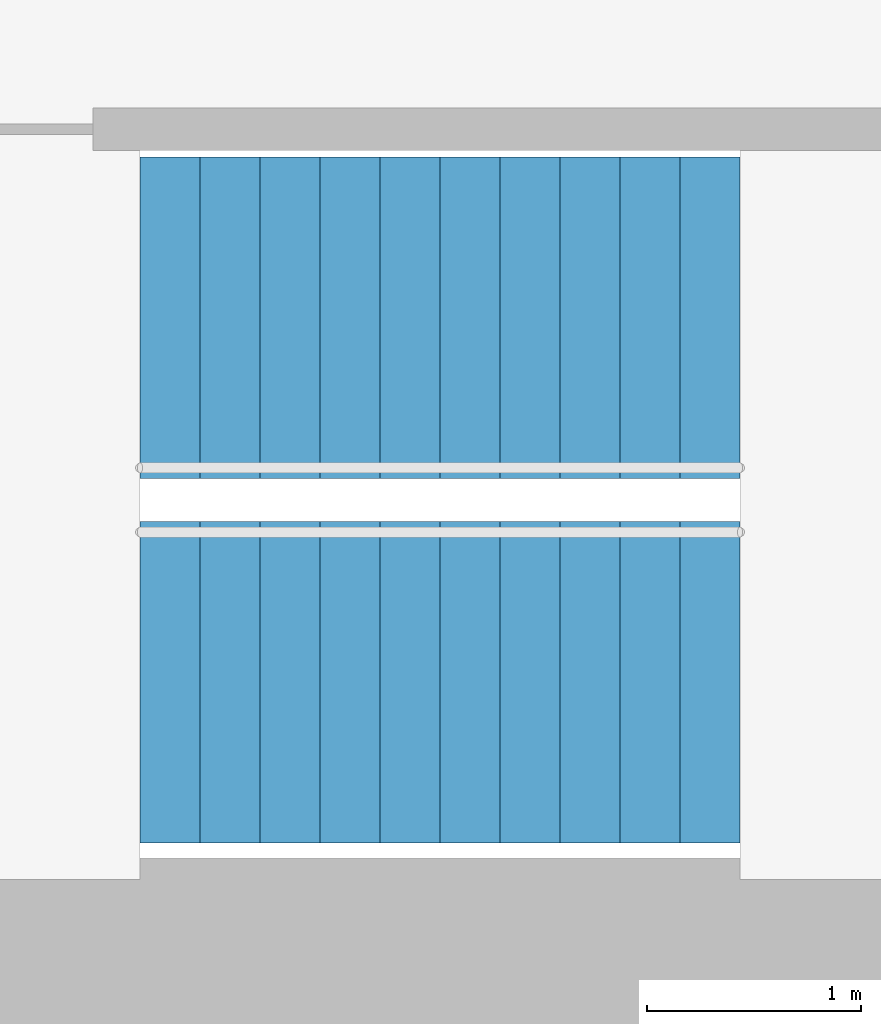
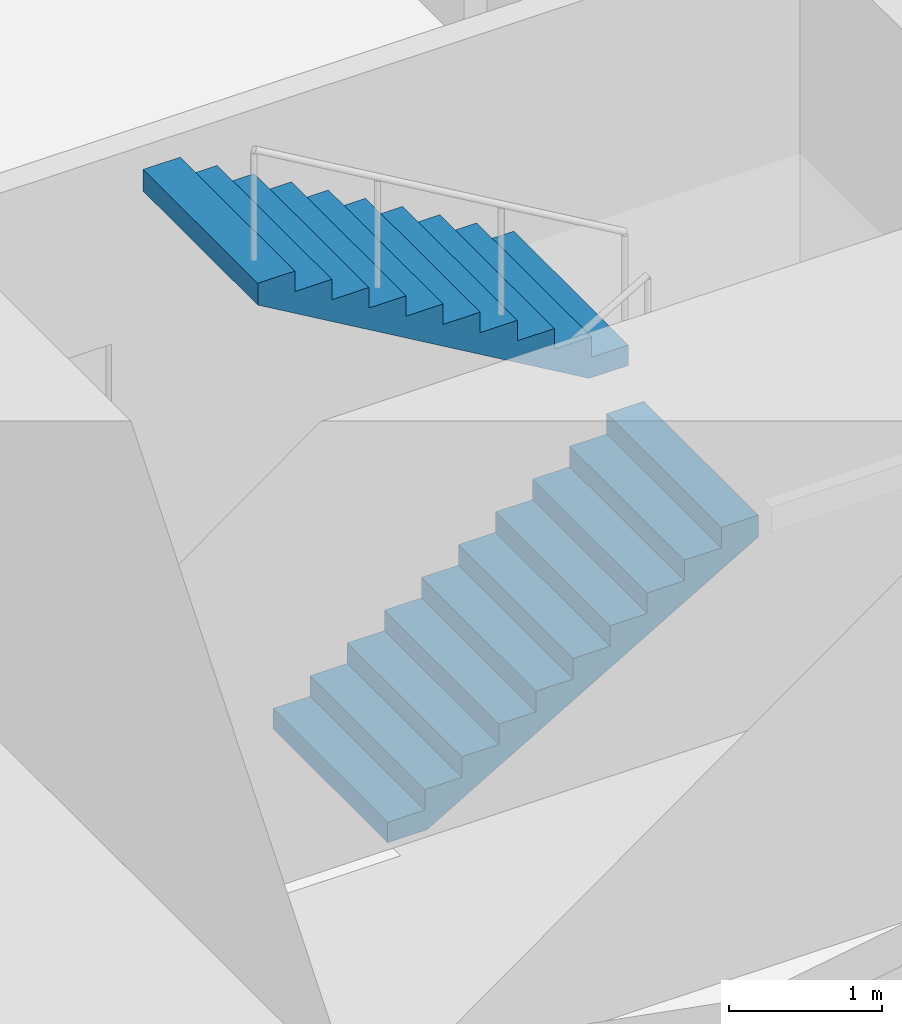
# One storey, part 13 of 15: 2 stair flights, 1 element without a shape of its own.
"""IFC4 building model written with IfcOpenShell, lengths in metres."""

from ifc_helpers import new_model, si_unit, direction, frame, origin, place, context, subcontext, project, spatial, triangles, material, type_object, element, aggregate, save


model = new_model("IFC4")

# Units and contexts
model_context = context("Model", 3, precision=1e-05, world=origin(), true_north=direction((0.0, 1.0)))
body_context = subcontext(model_context, "Body", "Model", "MODEL_VIEW")
ifc_project = project(units=[si_unit("LENGTHUNIT", "METRE"), si_unit("AREAUNIT", "SQUARE_METRE"), si_unit("VOLUMEUNIT", "CUBIC_METRE"), si_unit("PLANEANGLEUNIT", "RADIAN"), si_unit("MASSUNIT", "GRAM", prefix="KILO")], contexts=[model_context])

# Site, building, storey
site_placement = place(None, origin())
site = spatial("IfcSite", under=ifc_project, at=site_placement, CompositionType="ELEMENT")
building_placement = place(site_placement, origin())
building = spatial("IfcBuilding", under=site, at=building_placement, Name="Lantaw Convention Tower", CompositionType="ELEMENT")
storey_placement = place(building_placement, frame((0.0, 0.0, 47.800048828125)))
storey = spatial("IfcBuildingStorey", under=building, at=storey_placement, Name="L09", CompositionType="ELEMENT", Elevation=47.800048828125)

# Stair, stair flights
ifc_material = material(Name="Concrete C35/45", Category="concrete")
stair_type = type_object("IfcStairType", Name="Exit stair 1500 riser 163.64 in 2 flights", PredefinedType="HALF_TURN_STAIR", material=ifc_material)
stair_placement = place(storey_placement, origin())
stair = element("IfcStair", 1, at=stair_placement, inside=storey, type_object=stair_type, Name="Exit stair S1 L09", PredefinedType="HALF_TURN_STAIR")
stair_flight_type = type_object("IfcStairFlightType", Name="Stair flight 1500 riser 163.64", PredefinedType="STRAIGHT", material=ifc_material)
stair_flight_1_placement = place(storey_placement, frame((-10.580078125, -5.97998046875, 0.0), z_axis=(0.0, 0.0, 1.0), x_axis=(1.0, 0.0, 0.0)))
stair_flight_1 = element("IfcStairFlight", 2, at=stair_flight_1_placement, type_object=stair_flight_type, Name="S1 flight 1", NumberOfRisers=11, NumberOfTreads=10, PredefinedType="STRAIGHT", RiserHeight=0.163636364, TreadLength=0.28, context=body_context, shape_type="Tessellation", body=[
    triangles([(0.0, 0.75, 0.0), (0.0, 0.75, 0.163636364), (0.28, 0.75, 0.0), (0.28, 0.75, 0.163636364), (0.28, 0.75, 0.327272728), (0.2970904571225277, 0.75, 0.0), (0.2970904571225277, 0.75, 0.327272728), (0.56, 0.75, 0.1536484344906131), (0.56, 0.75, 0.327272728), (0.56, 0.75, 0.490909092), (0.8400000000000001, 0.75, 0.3172847984906131), (0.8400000000000001, 0.75, 0.490909092), (0.8400000000000001, 0.75, 0.654545456), (1.12, 0.75, 0.4809211624906131), (1.12, 0.75, 0.654545456), (1.12, 0.75, 0.8181818200000001), (1.4000000000000001, 0.75, 0.6445575264906132), (1.4000000000000001, 0.75, 0.8181818200000001), (1.4000000000000001, 0.75, 0.981818184), (1.6800000000000002, 0.75, 0.8081938904906131), (1.6800000000000002, 0.75, 0.981818184), (1.6800000000000002, 0.75, 1.145454548), (1.9600000000000002, 0.75, 0.9718302544906131), (1.9600000000000002, 0.75, 1.145454548), (1.9600000000000002, 0.75, 1.309090912), (2.24, 0.75, 1.135466618490613), (2.24, 0.75, 1.309090912), (2.24, 0.75, 1.472727276), (2.5200000000000005, 0.75, 1.2991029824906133), (2.5200000000000005, 0.75, 1.472727276), (2.5200000000000005, 0.75, 1.6363636400000001), (2.8000000000000003, 0.75, 1.462739346490613), (2.8000000000000003, 0.75, 1.6363636400000001), (0.0, -0.75, 0.0), (0.0, -0.75, 0.163636364), (0.28, -0.75, 0.0), (0.28, -0.75, 0.163636364), (0.28, -0.75, 0.327272728), (0.2970904571225277, -0.75, 0.0), (0.2970904571225277, -0.75, 0.327272728), (0.56, -0.75, 0.1536484344906131), (0.56, -0.75, 0.327272728), (0.56, -0.75, 0.490909092), (0.8400000000000001, -0.75, 0.3172847984906131), (0.8400000000000001, -0.75, 0.490909092), (0.8400000000000001, -0.75, 0.654545456), (1.12, -0.75, 0.4809211624906131), (1.12, -0.75, 0.654545456), (1.12, -0.75, 0.8181818200000001), (1.4000000000000001, -0.75, 0.6445575264906132), (1.4000000000000001, -0.75, 0.8181818200000001), (1.4000000000000001, -0.75, 0.981818184), (1.6800000000000002, -0.75, 0.8081938904906131), (1.6800000000000002, -0.75, 0.981818184), (1.6800000000000002, -0.75, 1.145454548), (1.9600000000000002, -0.75, 0.9718302544906131), (1.9600000000000002, -0.75, 1.145454548), (1.9600000000000002, -0.75, 1.309090912), (2.24, -0.75, 1.135466618490613), (2.24, -0.75, 1.309090912), (2.24, -0.75, 1.472727276), (2.5200000000000005, -0.75, 1.2991029824906133), (2.5200000000000005, -0.75, 1.472727276), (2.5200000000000005, -0.75, 1.6363636400000001), (2.8000000000000003, -0.75, 1.462739346490613), (2.8000000000000003, -0.75, 1.6363636400000001), (0.0, 0.15000000000000002, 0.163636364), (0.0, 0.15000000000000002, 0.0), (0.0, 0.0, 0.163636364), (0.0, 0.0, 0.0), (0.0, -0.15000000000000002, 0.163636364), (0.0, -0.15000000000000002, 0.0), (0.28, 0.15000000000000002, 0.327272728), (0.28, 0.15000000000000002, 0.163636364), (0.28, 0.0, 0.327272728), (0.28, 0.0, 0.163636364), (0.28, -0.15000000000000002, 0.327272728), (0.28, -0.15000000000000002, 0.163636364), (0.56, 0.15000000000000002, 0.490909092), (0.56, 0.15000000000000002, 0.327272728), (0.56, 0.0, 0.490909092), (0.56, 0.0, 0.327272728), (0.56, -0.15000000000000002, 0.490909092), (0.56, -0.15000000000000002, 0.327272728), (0.8400000000000001, 0.15000000000000002, 0.654545456), (0.8400000000000001, 0.15000000000000002, 0.490909092), (0.8400000000000001, 0.0, 0.654545456), (0.8400000000000001, 0.0, 0.490909092), (0.8400000000000001, -0.15000000000000002, 0.654545456), (0.8400000000000001, -0.15000000000000002, 0.490909092), (1.12, 0.15000000000000002, 0.8181818200000001), (1.12, 0.15000000000000002, 0.654545456), (1.12, 0.0, 0.8181818200000001), (1.12, 0.0, 0.654545456), (1.12, -0.15000000000000002, 0.8181818200000001), (1.12, -0.15000000000000002, 0.654545456), (1.4000000000000001, 0.15000000000000002, 0.981818184), (1.4000000000000001, 0.15000000000000002, 0.8181818200000001), (1.4000000000000001, 0.0, 0.981818184), (1.4000000000000001, 0.0, 0.8181818200000001), (1.4000000000000001, -0.15000000000000002, 0.981818184), (1.4000000000000001, -0.15000000000000002, 0.8181818200000001), (1.6800000000000002, 0.15000000000000002, 1.145454548), (1.6800000000000002, 0.15000000000000002, 0.981818184), (1.6800000000000002, 0.0, 1.145454548), (1.6800000000000002, 0.0, 0.981818184), (1.6800000000000002, -0.15000000000000002, 1.145454548), (1.6800000000000002, -0.15000000000000002, 0.981818184), (1.9600000000000002, 0.15000000000000002, 1.309090912), (1.9600000000000002, 0.15000000000000002, 1.145454548), (1.9600000000000002, 0.0, 1.309090912), (1.9600000000000002, 0.0, 1.145454548), (1.9600000000000002, -0.15000000000000002, 1.309090912), (1.9600000000000002, -0.15000000000000002, 1.145454548), (2.24, 0.15000000000000002, 1.472727276), (2.24, 0.15000000000000002, 1.309090912), (2.24, 0.0, 1.472727276), (2.24, 0.0, 1.309090912), (2.24, -0.15000000000000002, 1.472727276), (2.24, -0.15000000000000002, 1.309090912), (2.5200000000000005, 0.15000000000000002, 1.6363636400000001), (2.5200000000000005, 0.15000000000000002, 1.472727276), (2.5200000000000005, 0.0, 1.6363636400000001), (2.5200000000000005, 0.0, 1.472727276), (2.5200000000000005, -0.15000000000000002, 1.6363636400000001), (2.5200000000000005, -0.15000000000000002, 1.472727276), (0.2970904571225277, 0.15000000000000002, 0.327272728), (0.2970904571225277, 0.0, 0.327272728), (0.2970904571225277, -0.15000000000000002, 0.327272728), (2.8000000000000003, 0.15000000000000002, 1.6363636400000001), (2.8000000000000003, 0.0, 1.6363636400000001), (2.8000000000000003, -0.15000000000000002, 1.6363636400000001), (2.8000000000000003, 0.15000000000000002, 1.462739346490613), (2.8000000000000003, 0.0, 1.462739346490613), (2.8000000000000003, -0.15000000000000002, 1.462739346490613), (2.5200000000000005, 0.15000000000000002, 1.2991029824906133), (2.5200000000000005, 0.0, 1.2991029824906133), (2.5200000000000005, -0.15000000000000002, 1.2991029824906133), (2.24, 0.15000000000000002, 1.135466618490613), (2.24, 0.0, 1.135466618490613), (2.24, -0.15000000000000002, 1.135466618490613), (1.9600000000000002, 0.15000000000000002, 0.9718302544906131), (1.9600000000000002, 0.0, 0.9718302544906131), (1.9600000000000002, -0.15000000000000002, 0.9718302544906131), (1.6800000000000002, 0.15000000000000002, 0.8081938904906131), (1.6800000000000002, 0.0, 0.8081938904906131), (1.6800000000000002, -0.15000000000000002, 0.8081938904906131), (1.4000000000000001, 0.15000000000000002, 0.6445575264906132), (1.4000000000000001, 0.0, 0.6445575264906132), (1.4000000000000001, -0.15000000000000002, 0.6445575264906132), (1.12, 0.15000000000000002, 0.4809211624906131), (1.12, 0.0, 0.4809211624906131), (1.12, -0.15000000000000002, 0.4809211624906131), (0.8400000000000001, 0.15000000000000002, 0.3172847984906131), (0.8400000000000001, 0.0, 0.3172847984906131), (0.8400000000000001, -0.15000000000000002, 0.3172847984906131), (0.56, 0.15000000000000002, 0.1536484344906131), (0.56, 0.0, 0.1536484344906131), (0.56, -0.15000000000000002, 0.1536484344906131), (0.2970904571225277, 0.15000000000000002, 0.0), (0.2970904571225277, 0.0, 0.0), (0.2970904571225277, -0.15000000000000002, 0.0), (0.28, 0.15000000000000002, 0.0), (0.28, 0.0, 0.0), (0.28, -0.15000000000000002, 0.0)], [[1, 4, 3], [1, 2, 4], [3, 4, 6], [4, 7, 6], [4, 5, 7], [6, 9, 8], [6, 7, 9], [8, 9, 11], [9, 12, 11], [9, 10, 12], [11, 12, 14], [12, 15, 14], [12, 13, 15], [14, 15, 17], [15, 18, 17], [15, 16, 18], [17, 18, 20], [18, 21, 20], [18, 19, 21], [20, 21, 23], [21, 24, 23], [21, 22, 24], [23, 24, 26], [24, 27, 26], [24, 25, 27], [26, 27, 29], [27, 30, 29], [27, 28, 30], [29, 30, 32], [30, 33, 32], [30, 31, 33], [34, 36, 37], [34, 37, 35], [36, 39, 37], [37, 39, 40], [37, 40, 38], [39, 41, 42], [39, 42, 40], [41, 44, 42], [42, 44, 45], [42, 45, 43], [44, 47, 45], [45, 47, 48], [45, 48, 46], [47, 50, 48], [48, 50, 51], [48, 51, 49], [50, 53, 51], [51, 53, 54], [51, 54, 52], [53, 56, 54], [54, 56, 57], [54, 57, 55], [56, 59, 57], [57, 59, 60], [57, 60, 58], [59, 62, 60], [60, 62, 63], [60, 63, 61], [62, 65, 63], [63, 65, 66], [63, 66, 64], [1, 67, 2], [1, 68, 67], [68, 69, 67], [68, 70, 69], [70, 71, 69], [70, 72, 71], [72, 35, 71], [72, 34, 35], [4, 73, 5], [4, 74, 73], [74, 75, 73], [74, 76, 75], [76, 77, 75], [76, 78, 77], [78, 38, 77], [78, 37, 38], [9, 79, 10], [9, 80, 79], [80, 81, 79], [80, 82, 81], [82, 83, 81], [82, 84, 83], [84, 43, 83], [84, 42, 43], [12, 85, 13], [12, 86, 85], [86, 87, 85], [86, 88, 87], [88, 89, 87], [88, 90, 89], [90, 46, 89], [90, 45, 46], [15, 91, 16], [15, 92, 91], [92, 93, 91], [92, 94, 93], [94, 95, 93], [94, 96, 95], [96, 49, 95], [96, 48, 49], [18, 97, 19], [18, 98, 97], [98, 99, 97], [98, 100, 99], [100, 101, 99], [100, 102, 101], [102, 52, 101], [102, 51, 52], [21, 103, 22], [21, 104, 103], [104, 105, 103], [104, 106, 105], [106, 107, 105], [106, 108, 107], [108, 55, 107], [108, 54, 55], [24, 109, 25], [24, 110, 109], [110, 111, 109], [110, 112, 111], [112, 113, 111], [112, 114, 113], [114, 58, 113], [114, 57, 58], [27, 115, 28], [27, 116, 115], [116, 117, 115], [116, 118, 117], [118, 119, 117], [118, 120, 119], [120, 61, 119], [120, 60, 61], [30, 121, 31], [30, 122, 121], [122, 123, 121], [122, 124, 123], [124, 125, 123], [124, 126, 125], [126, 64, 125], [126, 63, 64], [2, 74, 4], [2, 67, 74], [67, 76, 74], [67, 69, 76], [69, 78, 76], [69, 71, 78], [71, 37, 78], [71, 35, 37], [5, 127, 7], [5, 73, 127], [73, 128, 127], [73, 75, 128], [75, 129, 128], [75, 77, 129], [77, 40, 129], [77, 38, 40], [7, 80, 9], [7, 127, 80], [127, 82, 80], [127, 128, 82], [128, 84, 82], [128, 129, 84], [129, 42, 84], [129, 40, 42], [10, 86, 12], [10, 79, 86], [79, 88, 86], [79, 81, 88], [81, 90, 88], [81, 83, 90], [83, 45, 90], [83, 43, 45], [13, 92, 15], [13, 85, 92], [85, 94, 92], [85, 87, 94], [87, 96, 94], [87, 89, 96], [89, 48, 96], [89, 46, 48], [16, 98, 18], [16, 91, 98], [91, 100, 98], [91, 93, 100], [93, 102, 100], [93, 95, 102], [95, 51, 102], [95, 49, 51], [19, 104, 21], [19, 97, 104], [97, 106, 104], [97, 99, 106], [99, 108, 106], [99, 101, 108], [101, 54, 108], [101, 52, 54], [22, 110, 24], [22, 103, 110], [103, 112, 110], [103, 105, 112], [105, 114, 112], [105, 107, 114], [107, 57, 114], [107, 55, 57], [25, 116, 27], [25, 109, 116], [109, 118, 116], [109, 111, 118], [111, 120, 118], [111, 113, 120], [113, 60, 120], [113, 58, 60], [28, 122, 30], [28, 115, 122], [115, 124, 122], [115, 117, 124], [117, 126, 124], [117, 119, 126], [119, 63, 126], [119, 61, 63], [31, 130, 33], [31, 121, 130], [121, 131, 130], [121, 123, 131], [123, 132, 131], [123, 125, 132], [125, 66, 132], [125, 64, 66], [33, 133, 32], [33, 130, 133], [130, 134, 133], [130, 131, 134], [131, 135, 134], [131, 132, 135], [132, 65, 135], [132, 66, 65], [32, 136, 29], [32, 133, 136], [133, 137, 136], [133, 134, 137], [134, 138, 137], [134, 135, 138], [135, 62, 138], [135, 65, 62], [29, 139, 26], [29, 136, 139], [136, 140, 139], [136, 137, 140], [137, 141, 140], [137, 138, 141], [138, 59, 141], [138, 62, 59], [26, 142, 23], [26, 139, 142], [139, 143, 142], [139, 140, 143], [140, 144, 143], [140, 141, 144], [141, 56, 144], [141, 59, 56], [23, 145, 20], [23, 142, 145], [142, 146, 145], [142, 143, 146], [143, 147, 146], [143, 144, 147], [144, 53, 147], [144, 56, 53], [20, 148, 17], [20, 145, 148], [145, 149, 148], [145, 146, 149], [146, 150, 149], [146, 147, 150], [147, 50, 150], [147, 53, 50], [17, 151, 14], [17, 148, 151], [148, 152, 151], [148, 149, 152], [149, 153, 152], [149, 150, 153], [150, 47, 153], [150, 50, 47], [14, 154, 11], [14, 151, 154], [151, 155, 154], [151, 152, 155], [152, 156, 155], [152, 153, 156], [153, 44, 156], [153, 47, 44], [11, 157, 8], [11, 154, 157], [154, 158, 157], [154, 155, 158], [155, 159, 158], [155, 156, 159], [156, 41, 159], [156, 44, 41], [8, 160, 6], [8, 157, 160], [157, 161, 160], [157, 158, 161], [158, 162, 161], [158, 159, 162], [159, 39, 162], [159, 41, 39], [6, 163, 3], [6, 160, 163], [160, 164, 163], [160, 161, 164], [161, 165, 164], [161, 162, 165], [162, 36, 165], [162, 39, 36], [3, 68, 1], [3, 163, 68], [163, 70, 68], [163, 164, 70], [164, 72, 70], [164, 165, 72], [165, 34, 72], [165, 36, 34]], closed=True),
])
stair_flight_2_placement = place(storey_placement, frame((-7.780029296875, -4.280029296875, 1.800048828125), z_axis=(0.0, 0.0, 1.0), x_axis=(-1.0, 0.0, 0.0)))
stair_flight_2 = element("IfcStairFlight", 3, at=stair_flight_2_placement, type_object=stair_flight_type, Name="S1 flight 2", NumberOfRisers=11, NumberOfTreads=10, PredefinedType="STRAIGHT", RiserHeight=0.163636364, TreadLength=0.28, context=body_context, shape_type="Tessellation", body=[
    triangles([(0.0, 0.75, 0.0), (0.0, 0.75, 0.163636364), (0.28, 0.75, 0.0), (0.28, 0.75, 0.163636364), (0.28, 0.75, 0.327272728), (0.2970904571225277, 0.75, 0.0), (0.2970904571225277, 0.75, 0.327272728), (0.56, 0.75, 0.1536484344906131), (0.56, 0.75, 0.327272728), (0.56, 0.75, 0.490909092), (0.8400000000000001, 0.75, 0.3172847984906131), (0.8400000000000001, 0.75, 0.490909092), (0.8400000000000001, 0.75, 0.654545456), (1.12, 0.75, 0.4809211624906131), (1.12, 0.75, 0.654545456), (1.12, 0.75, 0.8181818200000001), (1.4000000000000001, 0.75, 0.6445575264906132), (1.4000000000000001, 0.75, 0.8181818200000001), (1.4000000000000001, 0.75, 0.981818184), (1.6800000000000002, 0.75, 0.8081938904906131), (1.6800000000000002, 0.75, 0.981818184), (1.6800000000000002, 0.75, 1.145454548), (1.9600000000000002, 0.75, 0.9718302544906131), (1.9600000000000002, 0.75, 1.145454548), (1.9600000000000002, 0.75, 1.309090912), (2.24, 0.75, 1.135466618490613), (2.24, 0.75, 1.309090912), (2.24, 0.75, 1.472727276), (2.5200000000000005, 0.75, 1.2991029824906133), (2.5200000000000005, 0.75, 1.472727276), (2.5200000000000005, 0.75, 1.6363636400000001), (2.8000000000000003, 0.75, 1.462739346490613), (2.8000000000000003, 0.75, 1.6363636400000001), (0.0, -0.75, 0.0), (0.0, -0.75, 0.163636364), (0.28, -0.75, 0.0), (0.28, -0.75, 0.163636364), (0.28, -0.75, 0.327272728), (0.2970904571225277, -0.75, 0.0), (0.2970904571225277, -0.75, 0.327272728), (0.56, -0.75, 0.1536484344906131), (0.56, -0.75, 0.327272728), (0.56, -0.75, 0.490909092), (0.8400000000000001, -0.75, 0.3172847984906131), (0.8400000000000001, -0.75, 0.490909092), (0.8400000000000001, -0.75, 0.654545456), (1.12, -0.75, 0.4809211624906131), (1.12, -0.75, 0.654545456), (1.12, -0.75, 0.8181818200000001), (1.4000000000000001, -0.75, 0.6445575264906132), (1.4000000000000001, -0.75, 0.8181818200000001), (1.4000000000000001, -0.75, 0.981818184), (1.6800000000000002, -0.75, 0.8081938904906131), (1.6800000000000002, -0.75, 0.981818184), (1.6800000000000002, -0.75, 1.145454548), (1.9600000000000002, -0.75, 0.9718302544906131), (1.9600000000000002, -0.75, 1.145454548), (1.9600000000000002, -0.75, 1.309090912), (2.24, -0.75, 1.135466618490613), (2.24, -0.75, 1.309090912), (2.24, -0.75, 1.472727276), (2.5200000000000005, -0.75, 1.2991029824906133), (2.5200000000000005, -0.75, 1.472727276), (2.5200000000000005, -0.75, 1.6363636400000001), (2.8000000000000003, -0.75, 1.462739346490613), (2.8000000000000003, -0.75, 1.6363636400000001), (0.0, 0.15000000000000002, 0.163636364), (0.0, 0.15000000000000002, 0.0), (0.0, 0.0, 0.163636364), (0.0, 0.0, 0.0), (0.0, -0.15000000000000002, 0.163636364), (0.0, -0.15000000000000002, 0.0), (0.28, 0.15000000000000002, 0.327272728), (0.28, 0.15000000000000002, 0.163636364), (0.28, 0.0, 0.327272728), (0.28, 0.0, 0.163636364), (0.28, -0.15000000000000002, 0.327272728), (0.28, -0.15000000000000002, 0.163636364), (0.56, 0.15000000000000002, 0.490909092), (0.56, 0.15000000000000002, 0.327272728), (0.56, 0.0, 0.490909092), (0.56, 0.0, 0.327272728), (0.56, -0.15000000000000002, 0.490909092), (0.56, -0.15000000000000002, 0.327272728), (0.8400000000000001, 0.15000000000000002, 0.654545456), (0.8400000000000001, 0.15000000000000002, 0.490909092), (0.8400000000000001, 0.0, 0.654545456), (0.8400000000000001, 0.0, 0.490909092), (0.8400000000000001, -0.15000000000000002, 0.654545456), (0.8400000000000001, -0.15000000000000002, 0.490909092), (1.12, 0.15000000000000002, 0.8181818200000001), (1.12, 0.15000000000000002, 0.654545456), (1.12, 0.0, 0.8181818200000001), (1.12, 0.0, 0.654545456), (1.12, -0.15000000000000002, 0.8181818200000001), (1.12, -0.15000000000000002, 0.654545456), (1.4000000000000001, 0.15000000000000002, 0.981818184), (1.4000000000000001, 0.15000000000000002, 0.8181818200000001), (1.4000000000000001, 0.0, 0.981818184), (1.4000000000000001, 0.0, 0.8181818200000001), (1.4000000000000001, -0.15000000000000002, 0.981818184), (1.4000000000000001, -0.15000000000000002, 0.8181818200000001), (1.6800000000000002, 0.15000000000000002, 1.145454548), (1.6800000000000002, 0.15000000000000002, 0.981818184), (1.6800000000000002, 0.0, 1.145454548), (1.6800000000000002, 0.0, 0.981818184), (1.6800000000000002, -0.15000000000000002, 1.145454548), (1.6800000000000002, -0.15000000000000002, 0.981818184), (1.9600000000000002, 0.15000000000000002, 1.309090912), (1.9600000000000002, 0.15000000000000002, 1.145454548), (1.9600000000000002, 0.0, 1.309090912), (1.9600000000000002, 0.0, 1.145454548), (1.9600000000000002, -0.15000000000000002, 1.309090912), (1.9600000000000002, -0.15000000000000002, 1.145454548), (2.24, 0.15000000000000002, 1.472727276), (2.24, 0.15000000000000002, 1.309090912), (2.24, 0.0, 1.472727276), (2.24, 0.0, 1.309090912), (2.24, -0.15000000000000002, 1.472727276), (2.24, -0.15000000000000002, 1.309090912), (2.5200000000000005, 0.15000000000000002, 1.6363636400000001), (2.5200000000000005, 0.15000000000000002, 1.472727276), (2.5200000000000005, 0.0, 1.6363636400000001), (2.5200000000000005, 0.0, 1.472727276), (2.5200000000000005, -0.15000000000000002, 1.6363636400000001), (2.5200000000000005, -0.15000000000000002, 1.472727276), (0.2970904571225277, 0.15000000000000002, 0.327272728), (0.2970904571225277, 0.0, 0.327272728), (0.2970904571225277, -0.15000000000000002, 0.327272728), (2.8000000000000003, 0.15000000000000002, 1.6363636400000001), (2.8000000000000003, 0.0, 1.6363636400000001), (2.8000000000000003, -0.15000000000000002, 1.6363636400000001), (2.8000000000000003, 0.15000000000000002, 1.462739346490613), (2.8000000000000003, 0.0, 1.462739346490613), (2.8000000000000003, -0.15000000000000002, 1.462739346490613), (2.5200000000000005, 0.15000000000000002, 1.2991029824906133), (2.5200000000000005, 0.0, 1.2991029824906133), (2.5200000000000005, -0.15000000000000002, 1.2991029824906133), (2.24, 0.15000000000000002, 1.135466618490613), (2.24, 0.0, 1.135466618490613), (2.24, -0.15000000000000002, 1.135466618490613), (1.9600000000000002, 0.15000000000000002, 0.9718302544906131), (1.9600000000000002, 0.0, 0.9718302544906131), (1.9600000000000002, -0.15000000000000002, 0.9718302544906131), (1.6800000000000002, 0.15000000000000002, 0.8081938904906131), (1.6800000000000002, 0.0, 0.8081938904906131), (1.6800000000000002, -0.15000000000000002, 0.8081938904906131), (1.4000000000000001, 0.15000000000000002, 0.6445575264906132), (1.4000000000000001, 0.0, 0.6445575264906132), (1.4000000000000001, -0.15000000000000002, 0.6445575264906132), (1.12, 0.15000000000000002, 0.4809211624906131), (1.12, 0.0, 0.4809211624906131), (1.12, -0.15000000000000002, 0.4809211624906131), (0.8400000000000001, 0.15000000000000002, 0.3172847984906131), (0.8400000000000001, 0.0, 0.3172847984906131), (0.8400000000000001, -0.15000000000000002, 0.3172847984906131), (0.56, 0.15000000000000002, 0.1536484344906131), (0.56, 0.0, 0.1536484344906131), (0.56, -0.15000000000000002, 0.1536484344906131), (0.2970904571225277, 0.15000000000000002, 0.0), (0.2970904571225277, 0.0, 0.0), (0.2970904571225277, -0.15000000000000002, 0.0), (0.28, 0.15000000000000002, 0.0), (0.28, 0.0, 0.0), (0.28, -0.15000000000000002, 0.0)], [[1, 4, 3], [1, 2, 4], [3, 4, 6], [4, 7, 6], [4, 5, 7], [6, 9, 8], [6, 7, 9], [8, 9, 11], [9, 12, 11], [9, 10, 12], [11, 12, 14], [12, 15, 14], [12, 13, 15], [14, 15, 17], [15, 18, 17], [15, 16, 18], [17, 18, 20], [18, 21, 20], [18, 19, 21], [20, 21, 23], [21, 24, 23], [21, 22, 24], [23, 24, 26], [24, 27, 26], [24, 25, 27], [26, 27, 29], [27, 30, 29], [27, 28, 30], [29, 30, 32], [30, 33, 32], [30, 31, 33], [34, 36, 37], [34, 37, 35], [36, 39, 37], [37, 39, 40], [37, 40, 38], [39, 41, 42], [39, 42, 40], [41, 44, 42], [42, 44, 45], [42, 45, 43], [44, 47, 45], [45, 47, 48], [45, 48, 46], [47, 50, 48], [48, 50, 51], [48, 51, 49], [50, 53, 51], [51, 53, 54], [51, 54, 52], [53, 56, 54], [54, 56, 57], [54, 57, 55], [56, 59, 57], [57, 59, 60], [57, 60, 58], [59, 62, 60], [60, 62, 63], [60, 63, 61], [62, 65, 63], [63, 65, 66], [63, 66, 64], [1, 67, 2], [1, 68, 67], [68, 69, 67], [68, 70, 69], [70, 71, 69], [70, 72, 71], [72, 35, 71], [72, 34, 35], [4, 73, 5], [4, 74, 73], [74, 75, 73], [74, 76, 75], [76, 77, 75], [76, 78, 77], [78, 38, 77], [78, 37, 38], [9, 79, 10], [9, 80, 79], [80, 81, 79], [80, 82, 81], [82, 83, 81], [82, 84, 83], [84, 43, 83], [84, 42, 43], [12, 85, 13], [12, 86, 85], [86, 87, 85], [86, 88, 87], [88, 89, 87], [88, 90, 89], [90, 46, 89], [90, 45, 46], [15, 91, 16], [15, 92, 91], [92, 93, 91], [92, 94, 93], [94, 95, 93], [94, 96, 95], [96, 49, 95], [96, 48, 49], [18, 97, 19], [18, 98, 97], [98, 99, 97], [98, 100, 99], [100, 101, 99], [100, 102, 101], [102, 52, 101], [102, 51, 52], [21, 103, 22], [21, 104, 103], [104, 105, 103], [104, 106, 105], [106, 107, 105], [106, 108, 107], [108, 55, 107], [108, 54, 55], [24, 109, 25], [24, 110, 109], [110, 111, 109], [110, 112, 111], [112, 113, 111], [112, 114, 113], [114, 58, 113], [114, 57, 58], [27, 115, 28], [27, 116, 115], [116, 117, 115], [116, 118, 117], [118, 119, 117], [118, 120, 119], [120, 61, 119], [120, 60, 61], [30, 121, 31], [30, 122, 121], [122, 123, 121], [122, 124, 123], [124, 125, 123], [124, 126, 125], [126, 64, 125], [126, 63, 64], [2, 74, 4], [2, 67, 74], [67, 76, 74], [67, 69, 76], [69, 78, 76], [69, 71, 78], [71, 37, 78], [71, 35, 37], [5, 127, 7], [5, 73, 127], [73, 128, 127], [73, 75, 128], [75, 129, 128], [75, 77, 129], [77, 40, 129], [77, 38, 40], [7, 80, 9], [7, 127, 80], [127, 82, 80], [127, 128, 82], [128, 84, 82], [128, 129, 84], [129, 42, 84], [129, 40, 42], [10, 86, 12], [10, 79, 86], [79, 88, 86], [79, 81, 88], [81, 90, 88], [81, 83, 90], [83, 45, 90], [83, 43, 45], [13, 92, 15], [13, 85, 92], [85, 94, 92], [85, 87, 94], [87, 96, 94], [87, 89, 96], [89, 48, 96], [89, 46, 48], [16, 98, 18], [16, 91, 98], [91, 100, 98], [91, 93, 100], [93, 102, 100], [93, 95, 102], [95, 51, 102], [95, 49, 51], [19, 104, 21], [19, 97, 104], [97, 106, 104], [97, 99, 106], [99, 108, 106], [99, 101, 108], [101, 54, 108], [101, 52, 54], [22, 110, 24], [22, 103, 110], [103, 112, 110], [103, 105, 112], [105, 114, 112], [105, 107, 114], [107, 57, 114], [107, 55, 57], [25, 116, 27], [25, 109, 116], [109, 118, 116], [109, 111, 118], [111, 120, 118], [111, 113, 120], [113, 60, 120], [113, 58, 60], [28, 122, 30], [28, 115, 122], [115, 124, 122], [115, 117, 124], [117, 126, 124], [117, 119, 126], [119, 63, 126], [119, 61, 63], [31, 130, 33], [31, 121, 130], [121, 131, 130], [121, 123, 131], [123, 132, 131], [123, 125, 132], [125, 66, 132], [125, 64, 66], [33, 133, 32], [33, 130, 133], [130, 134, 133], [130, 131, 134], [131, 135, 134], [131, 132, 135], [132, 65, 135], [132, 66, 65], [32, 136, 29], [32, 133, 136], [133, 137, 136], [133, 134, 137], [134, 138, 137], [134, 135, 138], [135, 62, 138], [135, 65, 62], [29, 139, 26], [29, 136, 139], [136, 140, 139], [136, 137, 140], [137, 141, 140], [137, 138, 141], [138, 59, 141], [138, 62, 59], [26, 142, 23], [26, 139, 142], [139, 143, 142], [139, 140, 143], [140, 144, 143], [140, 141, 144], [141, 56, 144], [141, 59, 56], [23, 145, 20], [23, 142, 145], [142, 146, 145], [142, 143, 146], [143, 147, 146], [143, 144, 147], [144, 53, 147], [144, 56, 53], [20, 148, 17], [20, 145, 148], [145, 149, 148], [145, 146, 149], [146, 150, 149], [146, 147, 150], [147, 50, 150], [147, 53, 50], [17, 151, 14], [17, 148, 151], [148, 152, 151], [148, 149, 152], [149, 153, 152], [149, 150, 153], [150, 47, 153], [150, 50, 47], [14, 154, 11], [14, 151, 154], [151, 155, 154], [151, 152, 155], [152, 156, 155], [152, 153, 156], [153, 44, 156], [153, 47, 44], [11, 157, 8], [11, 154, 157], [154, 158, 157], [154, 155, 158], [155, 159, 158], [155, 156, 159], [156, 41, 159], [156, 44, 41], [8, 160, 6], [8, 157, 160], [157, 161, 160], [157, 158, 161], [158, 162, 161], [158, 159, 162], [159, 39, 162], [159, 41, 39], [6, 163, 3], [6, 160, 163], [160, 164, 163], [160, 161, 164], [161, 165, 164], [161, 162, 165], [162, 36, 165], [162, 39, 36], [3, 68, 1], [3, 163, 68], [163, 70, 68], [163, 164, 70], [164, 72, 70], [164, 165, 72], [165, 34, 72], [165, 36, 34]], closed=True),
])
aggregate(stair, [stair_flight_1, stair_flight_2])

save(model, "model.ifc")
